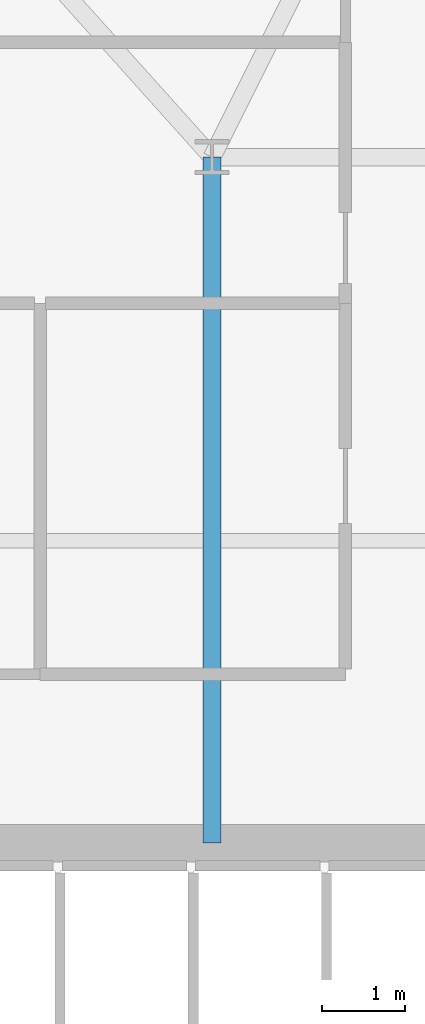
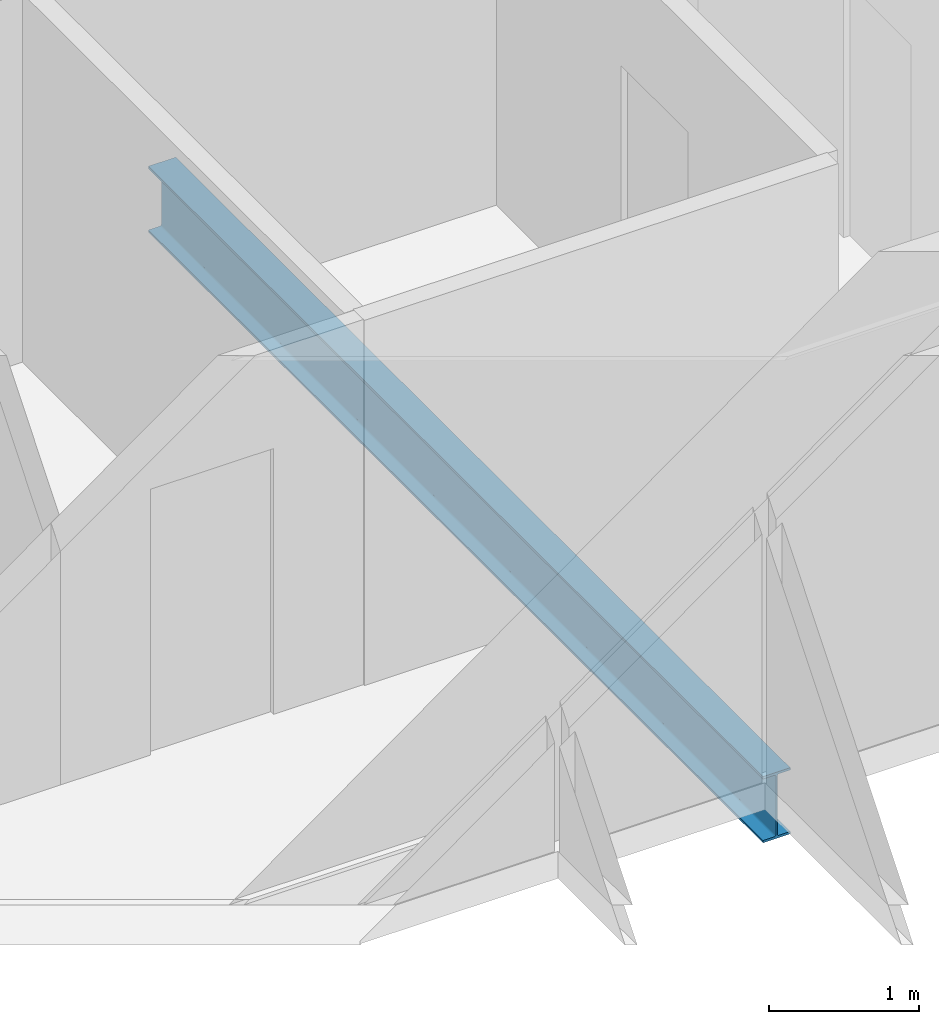
# One storey, part 6 of 32: 1 beam.
"""IFC4 building model written with IfcOpenShell, lengths in metres."""

from ifc_helpers import new_model, si_unit, direction, frame, origin, origin_2d, place, context, subcontext, project, spatial, i_section, extrude, material, material_profile, profile_set, type_object, element, save


model = new_model("IFC4")

# Units and contexts
model_context = context("Model", 3, precision=1e-05, world=origin(), true_north=direction((0.0, 1.0)))
body_context = subcontext(model_context, "Body", "Model", "MODEL_VIEW")
ifc_project = project(units=[si_unit("LENGTHUNIT", "METRE"), si_unit("AREAUNIT", "SQUARE_METRE"), si_unit("VOLUMEUNIT", "CUBIC_METRE"), si_unit("PLANEANGLEUNIT", "RADIAN"), si_unit("MASSUNIT", "GRAM", prefix="KILO")], contexts=[model_context])

# Site, building, storey
site_placement = place(None, origin())
site = spatial("IfcSite", under=ifc_project, at=site_placement, CompositionType="ELEMENT")
building_placement = place(site_placement, origin())
building = spatial("IfcBuilding", under=site, at=building_placement, Name="Ndaravel Arena Tower", CompositionType="ELEMENT")
storey_placement = place(building_placement, frame((0.0, 0.0, 134.60009765625)))
storey = spatial("IfcBuildingStorey", under=building, at=storey_placement, Name="L31", CompositionType="ELEMENT", Elevation=134.60009765625)

# Beam
ifc_material = material(Name="Steel S355", Category="steel")
ifc_material_profile = material_profile(ifc_material, i_section(OverallWidth=0.210693359375, OverallDepth=0.53955078125, WebThickness=0.01171875, FlangeThickness=0.018798828125, FilletRadius=0.0126953125, at=origin_2d()), Name="UB 533x210x109")
ifc_profile_set = profile_set([ifc_material_profile], Name="Steel S355")
beam_type = type_object("IfcBeamType", Name="BM-GIRD-UB533", PredefinedType="BEAM", material=ifc_profile_set)
beam_placement = place(storey_placement, frame((34.199951171875, 14.97998046875, -0.48974609375), z_axis=(0.0, 1.0, 0.0), x_axis=(-1.0, 0.0, 0.0)))
element("IfcBeam", 1, at=beam_placement, inside=storey, type_object=beam_type, Name="L31 Spine Link Girder SLG-01", PredefinedType="BEAM", context=body_context, shape_type="SweptSolid", body=[
    extrude(i_section(OverallWidth=0.210693359375, OverallDepth=0.53955078125, WebThickness=0.01171875, FlangeThickness=0.018798828125, FilletRadius=0.0126953125, at=origin_2d()), origin(), (0.0, 0.0, 1.0), 8.219970703125),
])

save(model, "model.ifc")
